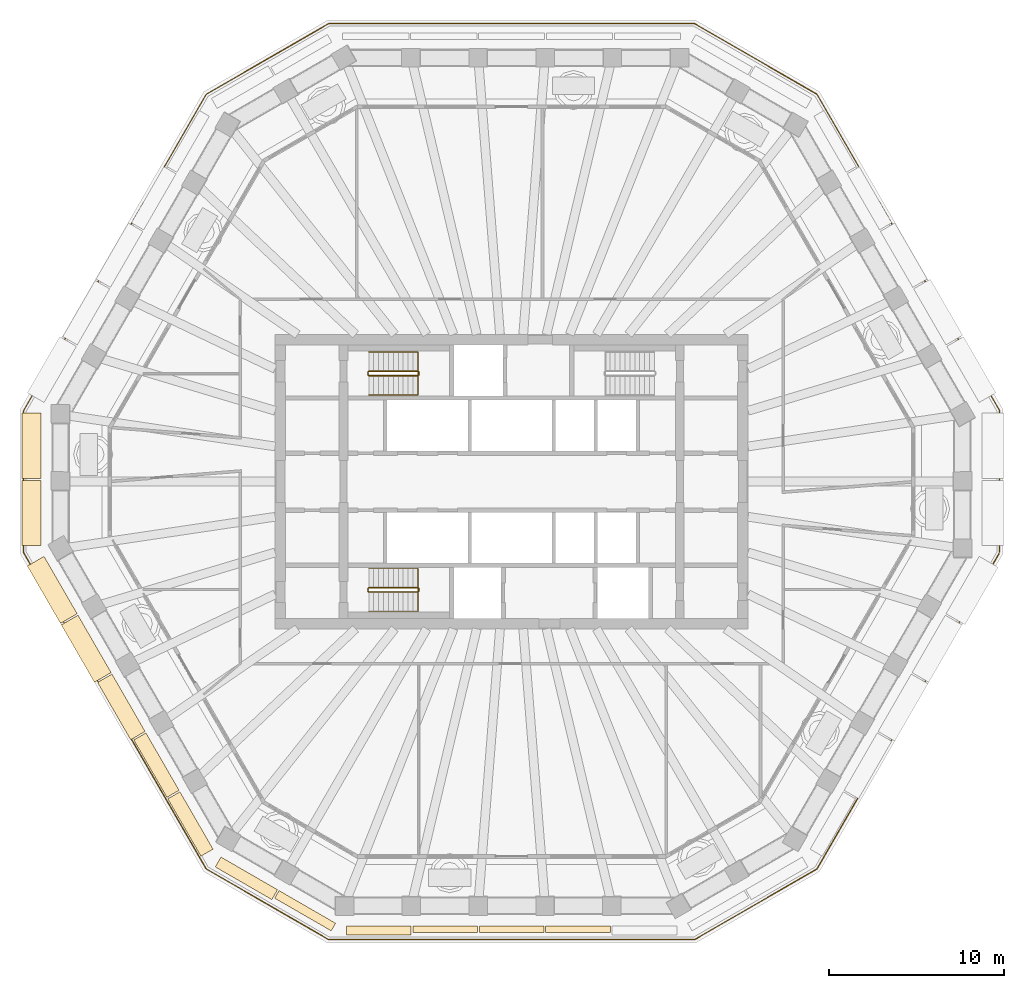
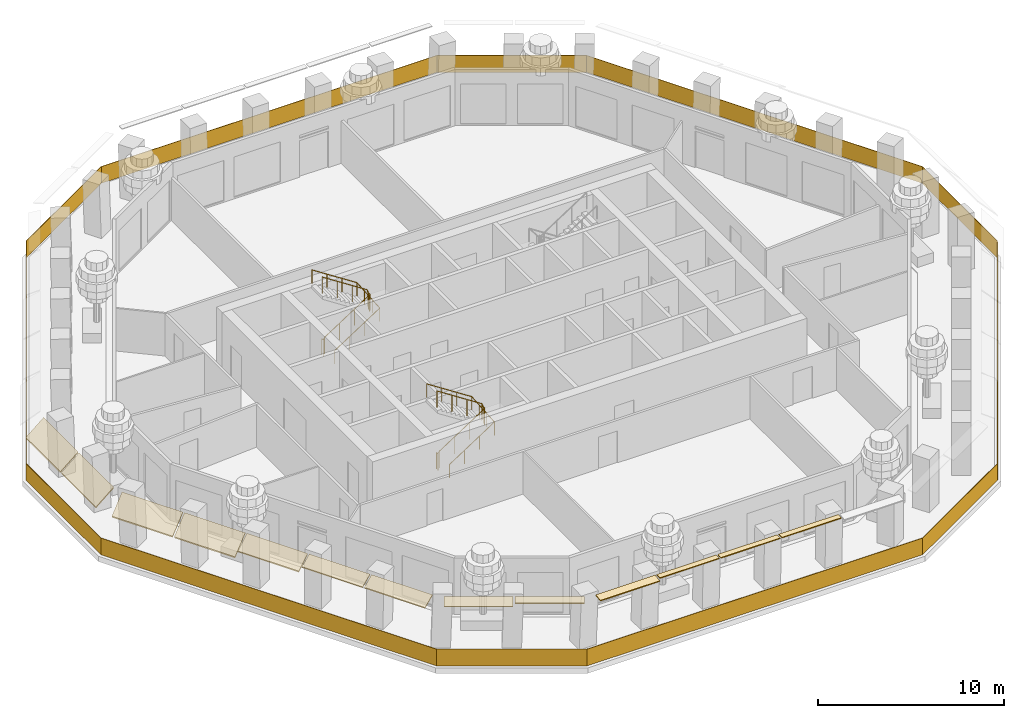
# One storey, part 8 of 12: 13 coverings, 5 railings.
"""IFC4 building model written with IfcOpenShell, lengths in metres."""

import ifcopenshell
import ifcopenshell.guid

model = None  # the IFC model being written
_history = None  # IfcOwnerHistory: only IFC2X3 demands one
_inside = {}  # id of a spatial element -> (the spatial element, [elements in it])
_under = {}  # id of a project, library or spatial element -> (it, [spatial elements below it])
_declared = {}  # id of a project -> (the project, [libraries it declares])
_typed = {}  # id of a type object -> (the type object, [elements of that type])
_made_of = {}  # id of a material, layer set ... -> (it, [elements and type objects made of it])


def new_model(schema):
    """Start an empty IFC model of exactly this schema.

    Asked for "IFC4X3", IfcOpenShell would pick the latest addendum, in which some entities
    have other attributes; the version numbers below select the first issue.
    IFC2X3 requires an IfcOwnerHistory on every rooted entity: one is made here for all.
    """
    global model, _history
    if schema == "IFC4X3":
        model = ifcopenshell.file(schema_version=(4, 3, 0, 0))
    else:
        model = ifcopenshell.file(schema=schema)
    _inside.clear()
    _under.clear()
    _declared.clear()
    _typed.clear()
    _made_of.clear()
    _history = None
    if model.schema == "IFC2X3":
        org = make("IfcOrganization", Name="unknown")
        user = make(
            "IfcPersonAndOrganization",
            ThePerson=make("IfcPerson", FamilyName="unknown"),
            TheOrganization=org,
        )
        app = make(
            "IfcApplication",
            ApplicationDeveloper=org,
            Version="unknown",
            ApplicationFullName="unknown",
            ApplicationIdentifier="unknown",
        )
        _history = make(
            "IfcOwnerHistory",
            OwningUser=user,
            OwningApplication=app,
            ChangeAction="ADDED",
            CreationDate=0,
        )
    return model


def make(cls, **values):
    """One entity of the class cls with the attributes given. An attribute that is None is left unset."""
    return model.create_entity(
        cls, **{name: value for name, value in values.items() if value is not None}
    )


def rooted(cls, **values):
    """An entity with a GlobalId (a new one), such as an element, a storey or a relation."""
    return make(cls, GlobalId=ifcopenshell.guid.new(), OwnerHistory=_history, **values)


def si_unit(unit_type, name, prefix=None):
    """IfcSIUnit, for example si_unit("LENGTHUNIT", "METRE", prefix="MILLI")."""
    return make("IfcSIUnit", UnitType=unit_type, Prefix=prefix, Name=name)


def assignment(units):
    """IfcUnitAssignment: the units of a project."""
    return None if units is None else make("IfcUnitAssignment", Units=units)


def point(xyz):
    """IfcCartesianPoint."""
    return None if xyz is None else make("IfcCartesianPoint", Coordinates=xyz)


def direction(xyz):
    """IfcDirection."""
    return None if xyz is None else make("IfcDirection", DirectionRatios=xyz)


def frame(location, z_axis=None, x_axis=None):
    """IfcAxis2Placement3D, a coordinate frame: its origin and axes. An axis left out is left unset."""
    return make(
        "IfcAxis2Placement3D",
        Location=point(location),
        Axis=direction(z_axis),
        RefDirection=direction(x_axis),
    )


def frame_2d(location, x_axis=None):
    """IfcAxis2Placement2D, a coordinate frame in the plane: its origin and x axis."""
    return make(
        "IfcAxis2Placement2D", Location=point(location), RefDirection=direction(x_axis)
    )


def origin():
    """The frame at (0, 0, 0) with its axes left unset."""
    return frame((0.0, 0.0, 0.0))


def origin_2d():
    """The frame at (0, 0) in the plane with its x axis left unset."""
    return frame_2d((0.0, 0.0))


def place(relative_to, where):
    """IfcLocalPlacement: puts the frame where relative to a parent placement (None: the world)."""
    return make(
        "IfcLocalPlacement", PlacementRelTo=relative_to, RelativePlacement=where
    )


def context(
    kind, dimensions, precision=None, world=None, true_north=None, identifier=None
):
    """IfcGeometricRepresentationContext, for example the 3D "Model" context."""
    return make(
        "IfcGeometricRepresentationContext",
        ContextIdentifier=identifier,
        ContextType=kind,
        CoordinateSpaceDimension=dimensions,
        Precision=precision,
        WorldCoordinateSystem=world,
        TrueNorth=true_north,
    )


def subcontext(parent, identifier, kind, view, scale=None):
    """IfcGeometricRepresentationSubContext, for example "Body" below "Model"."""
    return make(
        "IfcGeometricRepresentationSubContext",
        ContextIdentifier=identifier,
        ContextType=kind,
        ParentContext=parent,
        TargetScale=scale,
        TargetView=view,
    )


def project(units=None, contexts=None):
    """IfcProject with its units and contexts."""
    return rooted(
        "IfcProject",
        Name="project",
        RepresentationContexts=contexts,
        UnitsInContext=assignment(units),
    )


def spatial(cls, under=None, at=None, **own):
    """A site, building, storey or space (cls), placed at a placement, below another one or the project."""
    s = rooted(cls, ObjectPlacement=at, **own)
    if under is not None:
        _under.setdefault(under.id(), (under, []))[1].append(s)
    return s


def polyline(points):
    """IfcPolyline through the points."""
    return make("IfcPolyline", Points=[point(p) for p in points])


def profile(cls, at=None, kind="AREA", **sizes):
    """A parametric profile (cls). Its sizes go by their IFC names, for example OverallWidth=200.0."""
    return make(cls, ProfileType=kind, Position=at, **sizes)


def rectangle(**sizes):
    """IfcRectangleProfileDef."""
    return profile("IfcRectangleProfileDef", **sizes)


def circle(**sizes):
    """IfcCircleProfileDef."""
    return profile("IfcCircleProfileDef", **sizes)


def outline(outer, holes=None, kind="AREA"):
    """IfcArbitraryClosedProfileDef: a profile drawn as a closed curve; with holes, ...WithVoids."""
    if holes is None:
        return make("IfcArbitraryClosedProfileDef", ProfileType=kind, OuterCurve=outer)
    return make(
        "IfcArbitraryProfileDefWithVoids",
        ProfileType=kind,
        OuterCurve=outer,
        InnerCurves=holes,
    )


def extrude(swept, where, along, depth):
    """IfcExtrudedAreaSolid: the profile swept, set in the frame where, extruded along a direction by depth."""
    return make(
        "IfcExtrudedAreaSolid",
        SweptArea=swept,
        Position=where,
        ExtrudedDirection=direction(along),
        Depth=depth,
    )


def shape(context_of_items, identifier, shape_type, items):
    """IfcShapeRepresentation: the items that make up one representation, for example the "Body"."""
    return make(
        "IfcShapeRepresentation",
        ContextOfItems=context_of_items,
        RepresentationIdentifier=identifier,
        RepresentationType=shape_type,
        Items=items,
    )


def material(Name=None, Category=None):
    """IfcMaterial."""
    return make("IfcMaterial", Name=Name, Category=Category)


def layer(
    of_material, thickness, ventilated=None, Name=None, Category=None, Priority=None
):
    """IfcMaterialLayer: one layer of a wall or slab, of a material (None: an air gap)."""
    return make(
        "IfcMaterialLayer",
        Material=of_material,
        LayerThickness=thickness,
        IsVentilated=ventilated,
        Name=Name,
        Category=Category,
        Priority=Priority,
    )


def layer_set(layers, Name=None):
    """IfcMaterialLayerSet."""
    return make("IfcMaterialLayerSet", MaterialLayers=layers, LayerSetName=Name)


def made_of(thing, what):
    """Note that an element or type object is made of a material, layer set ...; save() writes the relation."""
    if what is not None:
        _made_of.setdefault(what.id(), (what, []))[1].append(thing)
    return thing


def type_object(cls, material=None, **own):
    """A type object (cls), such as IfcWallType, which elements share."""
    return made_of(rooted(cls, **own), material)


def element(
    cls,
    number,
    at=None,
    inside=None,
    cuts=None,
    type_object=None,
    material=None,
    context=None,
    identifier="Body",
    shape_type=None,
    held_by="IfcProductDefinitionShape",
    body=None,
    shapes=None,
    **own,
):
    """One element of the class cls, such as IfcWall. Its Tag is "e" and its number.

    at: its placement. inside: the storey or other place that contains it. cuts: it is an
    opening in that element (IfcRelVoidsElement). A single representation is given by context,
    identifier, shape_type and body (its items); several are given by shapes. held_by: the class
    of the entity that holds the representations. save() writes the other relations.
    """
    e = rooted(cls, Tag="e%d" % number, ObjectPlacement=at, **own)
    if body is not None:
        shapes = [shape(context, identifier, shape_type, body)]
    if shapes is not None:
        e.Representation = make(held_by, Representations=shapes)
    if inside is not None:
        _inside.setdefault(inside.id(), (inside, []))[1].append(e)
    if cuts is not None:
        rooted(
            "IfcRelVoidsElement", RelatingBuildingElement=cuts, RelatedOpeningElement=e
        )
    if type_object is not None:
        _typed.setdefault(type_object.id(), (type_object, []))[1].append(e)
    return made_of(e, material)


def aggregate(whole, parts):
    """IfcRelAggregates: a whole, such as a stair, and the parts it consists of."""
    return rooted("IfcRelAggregates", RelatingObject=whole, RelatedObjects=parts)


def save(model, path):
    """Write the relations noted so far, then the file.

    IfcRelAggregates (storeys below a building ...), IfcRelContainedInSpatialStructure (elements
    in a storey), IfcRelDefinesByType, IfcRelAssociatesMaterial and IfcRelDeclares: one each for
    every whole, place, type object, material and project.
    """
    for whole, parts in _under.values():
        aggregate(whole, parts)
    for where, things in _inside.values():
        rooted(
            "IfcRelContainedInSpatialStructure",
            RelatedElements=things,
            RelatingStructure=where,
        )
    for kind, things in _typed.values():
        rooted("IfcRelDefinesByType", RelatedObjects=things, RelatingType=kind)
    for what, things in _made_of.values():
        rooted("IfcRelAssociatesMaterial", RelatedObjects=things, RelatingMaterial=what)
    for by, libraries in _declared.values():
        rooted("IfcRelDeclares", RelatingContext=by, RelatedDefinitions=libraries)
    model.write(path)


model = new_model("IFC4")

# Units and contexts
model_context = context("Model", 3, precision=1e-05, world=origin(), true_north=direction((0.0, 1.0)))
body_context = subcontext(model_context, "Body", "Model", "MODEL_VIEW")
ifc_project = project(units=[si_unit("LENGTHUNIT", "METRE"), si_unit("AREAUNIT", "SQUARE_METRE"), si_unit("VOLUMEUNIT", "CUBIC_METRE"), si_unit("PLANEANGLEUNIT", "RADIAN"), si_unit("MASSUNIT", "GRAM", prefix="KILO")], contexts=[model_context])

# Site, building, storey
site_placement = place(None, origin())
site = spatial("IfcSite", under=ifc_project, at=site_placement, CompositionType="ELEMENT")
building_placement = place(site_placement, origin())
building = spatial("IfcBuilding", under=site, at=building_placement, Name="Frailejon Research Tower", CompositionType="ELEMENT")
storey_placement = place(building_placement, frame((0.0, 0.0, 211.39990234375)))
storey = spatial("IfcBuildingStorey", under=building, at=storey_placement, Name="L45", CompositionType="ELEMENT", Elevation=211.39990234375)

# Coverings
ifc_material_1 = material(Name="Precast concrete C50/60", Category="concrete")
ifc_layer_1 = layer(ifc_material_1, 0.06005859375)
ifc_layer_set_1 = layer_set([ifc_layer_1], Name="Brim blade depth 1100")
covering_type_1 = type_object("IfcCoveringType", Name="Brim blade depth 1100", PredefinedType="CLADDING", material=ifc_layer_set_1)
for number, where, z_axis, x_axis, name in (
    (1, (-26.85693359375, 0.17578125, 3.85009765625), (0.0, 1.0, 0.0), (-1.0, 0.0, 0.0), "Brim blade L45"),
    (2, (-26.85693359375, -3.65087890625, 3.85009765625), (0.0, 1.0, 0.0), (-1.0, 0.0, 0.0), "Brim blade L45"),
):
    element("IfcCovering", number, at=place(storey_placement, frame(where, z_axis=z_axis, x_axis=x_axis)), inside=storey, type_object=covering_type_1, Name=name, PredefinedType="CLADDING", context=body_context, shape_type="SweptSolid", body=[
        extrude(outline(polyline([(0.0, -0.078369140625), (1.10009765625, -1.001220703125), (1.10009765625, -0.923095703125), (0.0, 0.0), (0.0, -0.078369140625)])), origin(), (0.0, 0.0, 1.0), 3.726806640625),
    ])
for number, where, z_axis, x_axis, name in (
    (3, (-24.801513671875, -7.542236328125, 3.85009765625), (-0.500006579907, 0.86602160484, 0.0), (-0.86602160484, -0.500006579907, 0.0), "Brim blade L45"),
    (4, (-22.86181640625, -10.90185546875, 3.85009765625), (-0.500006579907, 0.86602160484, 0.0), (-0.86602160484, -0.500006579907, 0.0), "Brim blade L45"),
):
    element("IfcCovering", number, at=place(storey_placement, frame(where, z_axis=z_axis, x_axis=x_axis)), inside=storey, type_object=covering_type_1, Name=name, PredefinedType="CLADDING", context=body_context, shape_type="SweptSolid", body=[
        extrude(outline(polyline([(0.0, -0.078369140625), (1.10009765625, -1.001220703125), (1.10009765625, -0.923095703125), (0.0, 0.0), (0.0, -0.078369140625)])), origin(), (0.0, 0.0, 1.0), 3.779296875),
    ])
ifc_material_2 = material(Name="Precast concrete C50/60", Category="concrete")
ifc_layer_2 = layer(ifc_material_2, 0.06005859375)
ifc_layer_set_2 = layer_set([ifc_layer_2], Name="Brim blade depth 350")
covering_type_2 = type_object("IfcCoveringType", Name="Brim blade depth 350", PredefinedType="CLADDING", material=ifc_layer_set_2)
covering_1_placement = place(storey_placement, frame((-1.946044921875, -25.375732421875, 3.85009765625), z_axis=(-1.0, 0.0, 0.0), x_axis=(0.0, -1.0, 0.0)))
element("IfcCovering", 5, at=covering_1_placement, inside=storey, type_object=covering_type_2, Name="Brim blade L45", PredefinedType="CLADDING", context=body_context, shape_type="SweptSolid", body=[
    extrude(outline(polyline([(0.0, -0.06005859375), (0.35009765625, -0.06005859375), (0.35009765625, 0.0), (0.0, 0.0), (0.0, -0.06005859375)])), origin(), (0.0, 0.0, 1.0), 3.6923828125),
])
covering_2_placement = place(storey_placement, frame((1.84619140625, -25.375732421875, 3.85009765625), z_axis=(-1.0, 0.0, 0.0), x_axis=(0.0, -1.0, 0.0)))
element("IfcCovering", 6, at=covering_2_placement, inside=storey, type_object=covering_type_2, Name="Brim blade L45", PredefinedType="CLADDING", context=body_context, shape_type="SweptSolid", body=[
    extrude(outline(polyline([(0.0, -0.06005859375), (0.35009765625, -0.06005859375), (0.35009765625, 0.0), (0.0, 0.0), (0.0, -0.06005859375)])), origin(), (0.0, 0.0, 1.0), 3.692138671875),
])
covering_3_placement = place(storey_placement, frame((5.638427734375, -25.375732421875, 3.85009765625), z_axis=(-1.0, 0.0, 0.0), x_axis=(0.0, -1.0, 0.0)))
element("IfcCovering", 7, at=covering_3_placement, inside=storey, type_object=covering_type_2, Name="Brim blade L45", PredefinedType="CLADDING", context=body_context, shape_type="SweptSolid", body=[
    extrude(outline(polyline([(0.0, -0.06005859375), (0.35009765625, -0.06005859375), (0.35009765625, 0.0), (0.0, 0.0), (0.0, -0.06005859375)])), origin(), (0.0, 0.0, 1.0), 3.6923828125),
])
ifc_material_3 = material(Name="Precast concrete C50/60", Category="concrete")
ifc_layer_3 = layer(ifc_material_3, 0.06005859375)
ifc_layer_set_3 = layer_set([ifc_layer_3], Name="Brim blade depth 500")
covering_type_3 = type_object("IfcCoveringType", Name="Brim blade depth 500", PredefinedType="CLADDING", material=ifc_layer_set_3)
covering_4_placement = place(storey_placement, frame((-10.048828125, -25.2099609375, 3.85009765625), z_axis=(-0.866018477835, 0.500011995905, 0.0), x_axis=(-0.500011995905, -0.866018477835, 0.0)))
element("IfcCovering", 8, at=covering_4_placement, inside=storey, type_object=covering_type_3, Name="Brim blade L45", PredefinedType="CLADDING", context=body_context, shape_type="SweptSolid", body=[
    extrude(outline(polyline([(0.0, -0.060546875), (0.5, -0.130859375), (0.5, -0.0703125), (0.0, 0.0), (0.0, -0.060546875)])), origin(), (0.0, 0.0, 1.0), 3.726806640625),
])
covering_5_placement = place(storey_placement, frame((-5.73828125, -25.375732421875, 3.85009765625), z_axis=(-1.0, 0.0, 0.0), x_axis=(0.0, -1.0, 0.0)))
element("IfcCovering", 9, at=covering_5_placement, inside=storey, type_object=covering_type_3, Name="Brim blade L45", PredefinedType="CLADDING", context=body_context, shape_type="SweptSolid", body=[
    extrude(outline(polyline([(0.0, -0.060546875), (0.5, -0.130859375), (0.5, -0.0703125), (0.0, 0.0), (0.0, -0.060546875)])), origin(), (0.0, 0.0, 1.0), 3.692138671875),
])
ifc_material_4 = material(Name="Precast concrete C50/60", Category="concrete")
ifc_layer_4 = layer(ifc_material_4, 0.06005859375)
ifc_layer_set_4 = layer_set([ifc_layer_4], Name="Brim blade depth 650")
covering_type_4 = type_object("IfcCoveringType", Name="Brim blade depth 650", PredefinedType="CLADDING", material=ifc_layer_set_4)
covering_6_placement = place(storey_placement, frame((-13.36279296875, -23.296630859375, 3.85009765625), z_axis=(-0.866036325866, 0.499981081923, 0.0), x_axis=(-0.499981081923, -0.866036325866, 0.0)))
element("IfcCovering", 10, at=covering_6_placement, inside=storey, type_object=covering_type_4, Name="Brim blade L45", PredefinedType="CLADDING", context=body_context, shape_type="SweptSolid", body=[
    extrude(outline(polyline([(0.0, -0.0625), (0.64990234375, -0.248779296875), (0.64990234375, -0.186279296875), (0.0, 0.0), (0.0, -0.0625)])), origin(), (0.0, 0.0, 1.0), 3.726806640625),
])
ifc_material_5 = material(Name="Precast concrete C50/60", Category="concrete")
ifc_layer_5 = layer(ifc_material_5, 0.06005859375)
ifc_layer_set_5 = layer_set([ifc_layer_5], Name="Brim blade depth 800")
covering_type_5 = type_object("IfcCoveringType", Name="Brim blade depth 800", PredefinedType="CLADDING", material=ifc_layer_set_5)
for number, where, z_axis, x_axis, name in (
    (11, (-18.982666015625, -17.62109375, 3.85009765625), (-0.500006579907, 0.86602160484, 0.0), (-0.86602160484, -0.500006579907, 0.0), "Brim blade L45"),
    (12, (-17.04296875, -20.980712890625, 3.85009765625), (-0.49998724683, 0.866032766705, 0.0), (-0.866032766705, -0.49998724683, 0.0), "Brim blade L45"),
):
    element("IfcCovering", number, at=place(storey_placement, frame(where, z_axis=z_axis, x_axis=x_axis)), inside=storey, type_object=covering_type_5, Name=name, PredefinedType="CLADDING", context=body_context, shape_type="SweptSolid", body=[
        extrude(outline(polyline([(0.0, -0.065673828125), (0.800048828125, -0.421875), (0.800048828125, -0.356201171875), (0.0, 0.0), (0.0, -0.065673828125)])), origin(), (0.0, 0.0, 1.0), 3.779296875),
    ])
ifc_material_6 = material(Name="Precast concrete C50/60", Category="concrete")
ifc_layer_6 = layer(ifc_material_6, 0.06005859375)
ifc_layer_set_6 = layer_set([ifc_layer_6], Name="Brim blade depth 950")
covering_type_6 = type_object("IfcCoveringType", Name="Brim blade depth 950", PredefinedType="CLADDING", material=ifc_layer_set_6)
covering_7_placement = place(storey_placement, frame((-20.92236328125, -14.261474609375, 3.85009765625), z_axis=(-0.49998724683, 0.866032766705, 0.0), x_axis=(-0.866032766705, -0.49998724683, 0.0)))
element("IfcCovering", 13, at=covering_7_placement, inside=storey, type_object=covering_type_6, Name="Brim blade L45", PredefinedType="CLADDING", context=body_context, shape_type="SweptSolid", body=[
    extrude(outline(polyline([(0.0, -0.07080078125), (0.949951171875, -0.664306640625), (0.949951171875, -0.593505859375), (0.0, 0.0), (0.0, -0.07080078125)])), origin(), (0.0, 0.0, 1.0), 3.779296875),
])

# Railings
ifc_material_7 = material(Name="Laminated glass balustrade", Category="glass")
railing_type_1 = type_object("IfcRailingType", Name="Glass guard 1100", PredefinedType="GUARDRAIL", material=ifc_material_7)
railing_1_placement = place(storey_placement, frame((27.86279296875, -4.040283203125, 0.0)))
element("IfcRailing", 14, at=railing_1_placement, inside=storey, type_object=railing_type_1, Name="Setback terrace guard L45", PredefinedType="GUARDRAIL", context=body_context, shape_type="SweptSolid", body=[
    extrude(rectangle(XDim=8.08056640625, YDim=0.030029296875, at=origin_2d()), frame((0.0, 4.040283203125, 0.0), z_axis=(0.0, 0.0, 1.0), x_axis=(0.0, 1.0, 0.0)), (0.0, 0.0, 1.0), 1.10009765625),
    extrude(rectangle(XDim=20.864990234375, YDim=0.030029296875, at=origin_2d()), frame((-5.21630859375, 17.115234375, 0.0), z_axis=(0.0, 0.0, 1.0), x_axis=(-0.49999626614, 0.866027559519, 0.0)), (0.0, 0.0, 1.0), 1.10009765625),
    extrude(rectangle(XDim=8.080322265625, YDim=0.030029296875, at=origin_2d()), frame((-13.93115234375, 28.170166015625, 0.0), z_axis=(0.0, 0.0, 1.0), x_axis=(-0.866033132779, 0.499986612749, 0.0)), (0.0, 0.0, 1.0), 1.10009765625),
    extrude(rectangle(XDim=20.865234375, YDim=0.030029296875, at=origin_2d()), frame((-27.86279296875, 30.190185546875, 0.0), z_axis=(0.0, 0.0, 1.0), x_axis=(-1.0, 0.0, 0.0)), (0.0, 0.0, 1.0), 1.10009765625),
    extrude(rectangle(XDim=8.080322265625, YDim=0.030029296875, at=origin_2d()), frame((-41.79443359375, 28.170166015625, 0.0), z_axis=(0.0, 0.0, 1.0), x_axis=(-0.866033132779, -0.499986612749, 0.0)), (0.0, 0.0, 1.0), 1.10009765625),
    extrude(rectangle(XDim=20.864990234375, YDim=0.030029296875, at=origin_2d()), frame((-50.50927734375, 17.115234375, 0.0), z_axis=(0.0, 0.0, 1.0), x_axis=(-0.49999626614, -0.866027559519, 0.0)), (0.0, 0.0, 1.0), 1.10009765625),
    extrude(rectangle(XDim=8.08056640625, YDim=0.030029296875, at=origin_2d()), frame((-55.7255859375, 4.040283203125, 0.0), z_axis=(0.0, 0.0, 1.0), x_axis=(0.0, -1.0, 0.0)), (0.0, 0.0, 1.0), 1.10009765625),
    extrude(rectangle(XDim=20.864990234375, YDim=0.030029296875, at=origin_2d()), frame((-50.50927734375, -9.03466796875, 0.0), z_axis=(0.0, 0.0, 1.0), x_axis=(0.49999626614, -0.866027559519, 0.0)), (0.0, 0.0, 1.0), 1.10009765625),
    extrude(rectangle(XDim=8.080322265625, YDim=0.030029296875, at=origin_2d()), frame((-41.79443359375, -20.089599609375, 0.0), z_axis=(0.0, 0.0, 1.0), x_axis=(0.866033132779, -0.499986612749, 0.0)), (0.0, 0.0, 1.0), 1.10009765625),
    extrude(rectangle(XDim=20.865234375, YDim=0.030029296875, at=origin_2d()), frame((-27.86279296875, -22.109619140625, 0.0), z_axis=(0.0, 0.0, 1.0), x_axis=(1.0, 0.0, 0.0)), (0.0, 0.0, 1.0), 1.10009765625),
    extrude(rectangle(XDim=8.080322265625, YDim=0.030029296875, at=origin_2d()), frame((-13.93115234375, -20.089599609375, 0.0), z_axis=(0.0, 0.0, 1.0), x_axis=(0.866033132779, 0.499986612749, 0.0)), (0.0, 0.0, 1.0), 1.10009765625),
    extrude(rectangle(XDim=20.794921875, YDim=0.030029296875, at=origin_2d()), frame((-5.233642578125, -9.06494140625, 0.0), z_axis=(0.0, 0.0, 1.0), x_axis=(0.499997863783, 0.866026637126, 0.0)), (0.0, 0.0, 1.0), 1.10009765625),
])
ifc_material_8 = material(Name="Stainless steel", Category="steel")
railing_type_2 = type_object("IfcRailingType", Name="Stair guard 1100", PredefinedType="GUARDRAIL", material=ifc_material_8)
railing_2_placement = place(storey_placement, frame((-8.199951171875, 6.25, 0.0)))
element("IfcRailing", 15, at=railing_2_placement, inside=storey, type_object=railing_type_2, Name="L45 ST1 stair guard 1", PredefinedType="GUARDRAIL", context=body_context, shape_type="SweptSolid", body=[
    extrude(circle(Radius=0.02392578125, at=origin_2d()), frame((0.0, 0.0, 1.076171875), z_axis=(0.0, -1.0, 0.0), x_axis=(1.0, 0.0, 0.0)), (0.0, 0.0, 1.0), 0.14990234375),
    extrude(circle(Radius=0.02392578125, at=origin_2d()), frame((0.0, -0.14990234375, 1.076171875), z_axis=(0.256435381639, -0.256435381639, 0.931923704005), x_axis=(0.707106781187, 0.707106781187, 0.0)), (0.0, 0.0, 1.0), 0.195068359375),
    extrude(circle(Radius=0.02392578125, at=origin_2d()), frame((0.050048828125, -0.199951171875, 1.2578125), z_axis=(0.83868413941, 0.0, 0.544618136222), x_axis=(0.0, 1.0, 0.0)), (0.0, 0.0, 1.0), 3.33837890625),
    extrude(circle(Radius=0.02392578125, at=origin_2d()), frame((2.849853515625, -0.199951171875, 3.076171875), z_axis=(0.707106781187, 0.707106781187, 0.0), x_axis=(-0.707106781187, 0.707106781187, 0.0)), (0.0, 0.0, 1.0), 0.07080078125),
    extrude(circle(Radius=0.02392578125, at=origin_2d()), frame((2.89990234375, -0.14990234375, 3.076171875), z_axis=(0.0, 1.0, 0.0), x_axis=(-1.0, 0.0, 0.0)), (0.0, 0.0, 1.0), 0.14990234375),
    extrude(circle(Radius=0.02392578125, at=origin_2d()), frame((2.89990234375, 0.0, 3.076171875), z_axis=(-0.256435381639, 0.256435381639, 0.931923704005), x_axis=(-0.707106781187, -0.707106781187, 0.0)), (0.0, 0.0, 1.0), 0.195068359375),
    extrude(circle(Radius=0.02392578125, at=origin_2d()), frame((2.849853515625, 0.050048828125, 3.2578125), z_axis=(-0.83868413941, 0.0, 0.544618136222), x_axis=(0.0, -1.0, 0.0)), (0.0, 0.0, 1.0), 3.33837890625),
    extrude(circle(Radius=0.02099609375, at=origin_2d()), origin(), (0.0, 0.0, 1.0), 1.052001953125),
    extrude(circle(Radius=0.02099609375, at=origin_2d()), frame((0.0, -0.14990234375, 0.0)), (0.0, 0.0, 1.0), 1.052001953125),
    extrude(circle(Radius=0.02099609375, at=origin_2d()), frame((0.050048828125, -0.199951171875, 0.181884765625)), (0.0, 0.0, 1.0), 1.052001953125),
    extrude(circle(Radius=0.02099609375, at=origin_2d()), frame((0.9833984375, -0.199951171875, 0.787841796875)), (0.0, 0.0, 1.0), 1.052001953125),
    extrude(circle(Radius=0.02099609375, at=origin_2d()), frame((1.91650390625, -0.199951171875, 1.39404296875)), (0.0, 0.0, 1.0), 1.052001953125),
    extrude(circle(Radius=0.02099609375, at=origin_2d()), frame((2.849853515625, -0.199951171875, 2.0)), (0.0, 0.0, 1.0), 1.052001953125),
    extrude(circle(Radius=0.02099609375, at=origin_2d()), frame((2.89990234375, -0.14990234375, 2.0)), (0.0, 0.0, 1.0), 1.052001953125),
    extrude(circle(Radius=0.02099609375, at=origin_2d()), frame((2.89990234375, 0.0, 2.0)), (0.0, 0.0, 1.0), 1.052001953125),
    extrude(circle(Radius=0.02099609375, at=origin_2d()), frame((2.849853515625, 0.050048828125, 2.181884765625)), (0.0, 0.0, 1.0), 1.052001953125),
    extrude(circle(Radius=0.02099609375, at=origin_2d()), frame((1.91650390625, 0.050048828125, 2.787841796875)), (0.0, 0.0, 1.0), 1.052001953125),
    extrude(circle(Radius=0.02099609375, at=origin_2d()), frame((0.9833984375, 0.050048828125, 3.39404296875)), (0.0, 0.0, 1.0), 1.052001953125),
    extrude(circle(Radius=0.02099609375, at=origin_2d()), frame((0.050048828125, 0.050048828125, 4.0)), (0.0, 0.0, 1.0), 1.052001953125),
])
railing_3_placement = place(storey_placement, frame((-8.199951171875, -6.10009765625, 0.0)))
element("IfcRailing", 16, at=railing_3_placement, inside=storey, type_object=railing_type_2, Name="L45 ST2 stair guard 1", PredefinedType="GUARDRAIL", context=body_context, shape_type="SweptSolid", body=[
    extrude(circle(Radius=0.02392578125, at=origin_2d()), frame((0.0, 0.0, 1.076171875), z_axis=(0.0, -1.0, 0.0), x_axis=(1.0, 0.0, 0.0)), (0.0, 0.0, 1.0), 0.14990234375),
    extrude(circle(Radius=0.02392578125, at=origin_2d()), frame((0.0, -0.14990234375, 1.076171875), z_axis=(0.256435381639, -0.256435381639, 0.931923704005), x_axis=(0.707106781187, 0.707106781187, 0.0)), (0.0, 0.0, 1.0), 0.195068359375),
    extrude(circle(Radius=0.02392578125, at=origin_2d()), frame((0.050048828125, -0.199951171875, 1.2578125), z_axis=(0.83868413941, 0.0, 0.544618136222), x_axis=(0.0, 1.0, 0.0)), (0.0, 0.0, 1.0), 3.33837890625),
    extrude(circle(Radius=0.02392578125, at=origin_2d()), frame((2.849853515625, -0.199951171875, 3.076171875), z_axis=(0.707106781187, 0.707106781187, 0.0), x_axis=(-0.707106781187, 0.707106781187, 0.0)), (0.0, 0.0, 1.0), 0.07080078125),
    extrude(circle(Radius=0.02392578125, at=origin_2d()), frame((2.89990234375, -0.14990234375, 3.076171875), z_axis=(0.0, 1.0, 0.0), x_axis=(-1.0, 0.0, 0.0)), (0.0, 0.0, 1.0), 0.14990234375),
    extrude(circle(Radius=0.02392578125, at=origin_2d()), frame((2.89990234375, 0.0, 3.076171875), z_axis=(-0.256435381639, 0.256435381639, 0.931923704005), x_axis=(-0.707106781187, -0.707106781187, 0.0)), (0.0, 0.0, 1.0), 0.195068359375),
    extrude(circle(Radius=0.02392578125, at=origin_2d()), frame((2.849853515625, 0.050048828125, 3.2578125), z_axis=(-0.83868413941, 0.0, 0.544618136222), x_axis=(0.0, -1.0, 0.0)), (0.0, 0.0, 1.0), 3.33837890625),
    extrude(circle(Radius=0.02099609375, at=origin_2d()), origin(), (0.0, 0.0, 1.0), 1.052001953125),
    extrude(circle(Radius=0.02099609375, at=origin_2d()), frame((0.0, -0.14990234375, 0.0)), (0.0, 0.0, 1.0), 1.052001953125),
    extrude(circle(Radius=0.02099609375, at=origin_2d()), frame((0.050048828125, -0.199951171875, 0.181884765625)), (0.0, 0.0, 1.0), 1.052001953125),
    extrude(circle(Radius=0.02099609375, at=origin_2d()), frame((0.9833984375, -0.199951171875, 0.787841796875)), (0.0, 0.0, 1.0), 1.052001953125),
    extrude(circle(Radius=0.02099609375, at=origin_2d()), frame((1.91650390625, -0.199951171875, 1.39404296875)), (0.0, 0.0, 1.0), 1.052001953125),
    extrude(circle(Radius=0.02099609375, at=origin_2d()), frame((2.849853515625, -0.199951171875, 2.0)), (0.0, 0.0, 1.0), 1.052001953125),
    extrude(circle(Radius=0.02099609375, at=origin_2d()), frame((2.89990234375, -0.14990234375, 2.0)), (0.0, 0.0, 1.0), 1.052001953125),
    extrude(circle(Radius=0.02099609375, at=origin_2d()), frame((2.89990234375, 0.0, 2.0)), (0.0, 0.0, 1.0), 1.052001953125),
    extrude(circle(Radius=0.02099609375, at=origin_2d()), frame((2.849853515625, 0.050048828125, 2.181884765625)), (0.0, 0.0, 1.0), 1.052001953125),
    extrude(circle(Radius=0.02099609375, at=origin_2d()), frame((1.91650390625, 0.050048828125, 2.787841796875)), (0.0, 0.0, 1.0), 1.052001953125),
    extrude(circle(Radius=0.02099609375, at=origin_2d()), frame((0.9833984375, 0.050048828125, 3.39404296875)), (0.0, 0.0, 1.0), 1.052001953125),
    extrude(circle(Radius=0.02099609375, at=origin_2d()), frame((0.050048828125, 0.050048828125, 4.0)), (0.0, 0.0, 1.0), 1.052001953125),
])
ifc_material_9 = material(Name="Stainless steel", Category="steel")
railing_type_3 = type_object("IfcRailingType", Name="Stair handrail 900", PredefinedType="HANDRAIL", material=ifc_material_9)
railing_4_placement = place(storey_placement, frame((-8.14990234375, 4.949951171875, 0.181884765625)))
element("IfcRailing", 17, at=railing_4_placement, inside=storey, type_object=railing_type_3, Name="L45 ST1 stair handrail 1", PredefinedType="HANDRAIL", context=body_context, shape_type="SweptSolid", body=[
    extrude(circle(Radius=0.02392578125, at=origin_2d()), frame((0.0, 0.0, 0.8759765625), z_axis=(0.83868413941, 0.0, 0.544618136222), x_axis=(0.0, 1.0, 0.0)), (0.0, 0.0, 1.0), 3.33837890625),
    extrude(circle(Radius=0.02392578125, at=origin_2d()), frame((2.7998046875, 0.0, 2.69384765625), z_axis=(0.0, 0.997255538948, 0.074036410216), x_axis=(-1.0, 0.0, 0.0)), (0.0, 0.0, 1.0), 2.456787109375),
    extrude(circle(Radius=0.02392578125, at=origin_2d()), frame((2.7998046875, 2.449951171875, 2.8759765625), z_axis=(-0.83868413941, 0.0, 0.544618136222), x_axis=(0.0, -1.0, 0.0)), (0.0, 0.0, 1.0), 3.33837890625),
    extrude(circle(Radius=0.02099609375, at=origin_2d()), origin(), (0.0, 0.0, 1.0), 0.851806640625),
    extrude(circle(Radius=0.02099609375, at=origin_2d()), frame((0.933349609375, 0.0, 0.60595703125)), (0.0, 0.0, 1.0), 0.851806640625),
    extrude(circle(Radius=0.02099609375, at=origin_2d()), frame((1.866455078125, 0.0, 1.212158203125)), (0.0, 0.0, 1.0), 0.851806640625),
    extrude(circle(Radius=0.02099609375, at=origin_2d()), frame((2.7998046875, 0.0, 1.818115234375)), (0.0, 0.0, 1.0), 0.851806640625),
    extrude(circle(Radius=0.02099609375, at=origin_2d()), frame((2.7998046875, 0.816650390625, 1.878662109375)), (0.0, 0.0, 1.0), 0.851806640625),
    extrude(circle(Radius=0.02099609375, at=origin_2d()), frame((2.7998046875, 1.63330078125, 1.939453125)), (0.0, 0.0, 1.0), 0.851806640625),
    extrude(circle(Radius=0.02099609375, at=origin_2d()), frame((2.7998046875, 2.449951171875, 2.0)), (0.0, 0.0, 1.0), 0.851806640625),
    extrude(circle(Radius=0.02099609375, at=origin_2d()), frame((1.866455078125, 2.449951171875, 2.60595703125)), (0.0, 0.0, 1.0), 0.851806640625),
    extrude(circle(Radius=0.02099609375, at=origin_2d()), frame((0.933349609375, 2.449951171875, 3.212158203125)), (0.0, 0.0, 1.0), 0.851806640625),
    extrude(circle(Radius=0.02099609375, at=origin_2d()), frame((0.0, 2.449951171875, 3.818115234375)), (0.0, 0.0, 1.0), 0.851806640625),
])
railing_5_placement = place(storey_placement, frame((-8.14990234375, -7.39990234375, 0.181884765625)))
element("IfcRailing", 18, at=railing_5_placement, inside=storey, type_object=railing_type_3, Name="L45 ST2 stair handrail 1", PredefinedType="HANDRAIL", context=body_context, shape_type="SweptSolid", body=[
    extrude(circle(Radius=0.02392578125, at=origin_2d()), frame((0.0, 0.0, 0.8759765625), z_axis=(0.83868413941, 0.0, 0.544618136222), x_axis=(0.0, 1.0, 0.0)), (0.0, 0.0, 1.0), 3.33837890625),
    extrude(circle(Radius=0.02392578125, at=origin_2d()), frame((2.7998046875, 0.0, 2.69384765625), z_axis=(0.0, 0.997255538948, 0.074036410216), x_axis=(-1.0, 0.0, 0.0)), (0.0, 0.0, 1.0), 2.456787109375),
    extrude(circle(Radius=0.02392578125, at=origin_2d()), frame((2.7998046875, 2.449951171875, 2.8759765625), z_axis=(-0.83868413941, 0.0, 0.544618136222), x_axis=(0.0, -1.0, 0.0)), (0.0, 0.0, 1.0), 3.33837890625),
    extrude(circle(Radius=0.02099609375, at=origin_2d()), origin(), (0.0, 0.0, 1.0), 0.851806640625),
    extrude(circle(Radius=0.02099609375, at=origin_2d()), frame((0.933349609375, 0.0, 0.60595703125)), (0.0, 0.0, 1.0), 0.851806640625),
    extrude(circle(Radius=0.02099609375, at=origin_2d()), frame((1.866455078125, 0.0, 1.212158203125)), (0.0, 0.0, 1.0), 0.851806640625),
    extrude(circle(Radius=0.02099609375, at=origin_2d()), frame((2.7998046875, 0.0, 1.818115234375)), (0.0, 0.0, 1.0), 0.851806640625),
    extrude(circle(Radius=0.02099609375, at=origin_2d()), frame((2.7998046875, 0.816650390625, 1.878662109375)), (0.0, 0.0, 1.0), 0.851806640625),
    extrude(circle(Radius=0.02099609375, at=origin_2d()), frame((2.7998046875, 1.63330078125, 1.939453125)), (0.0, 0.0, 1.0), 0.851806640625),
    extrude(circle(Radius=0.02099609375, at=origin_2d()), frame((2.7998046875, 2.449951171875, 2.0)), (0.0, 0.0, 1.0), 0.851806640625),
    extrude(circle(Radius=0.02099609375, at=origin_2d()), frame((1.866455078125, 2.449951171875, 2.60595703125)), (0.0, 0.0, 1.0), 0.851806640625),
    extrude(circle(Radius=0.02099609375, at=origin_2d()), frame((0.933349609375, 2.449951171875, 3.212158203125)), (0.0, 0.0, 1.0), 0.851806640625),
    extrude(circle(Radius=0.02099609375, at=origin_2d()), frame((0.0, 2.449951171875, 3.818115234375)), (0.0, 0.0, 1.0), 0.851806640625),
])

save(model, "model.ifc")
